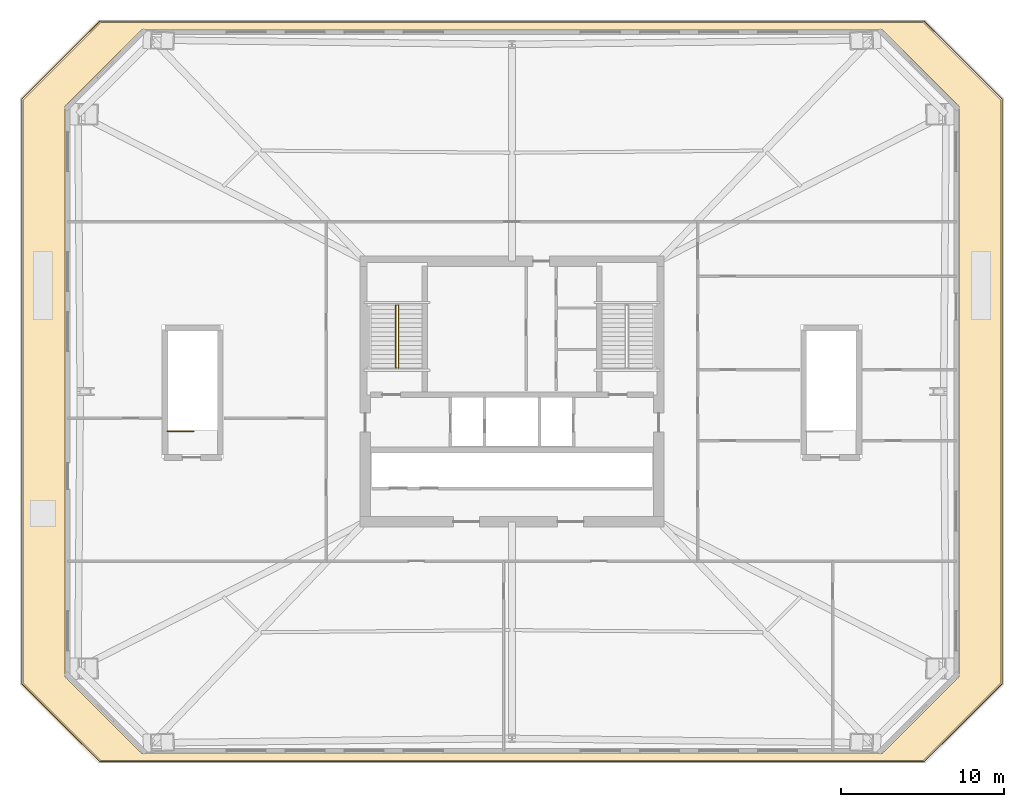
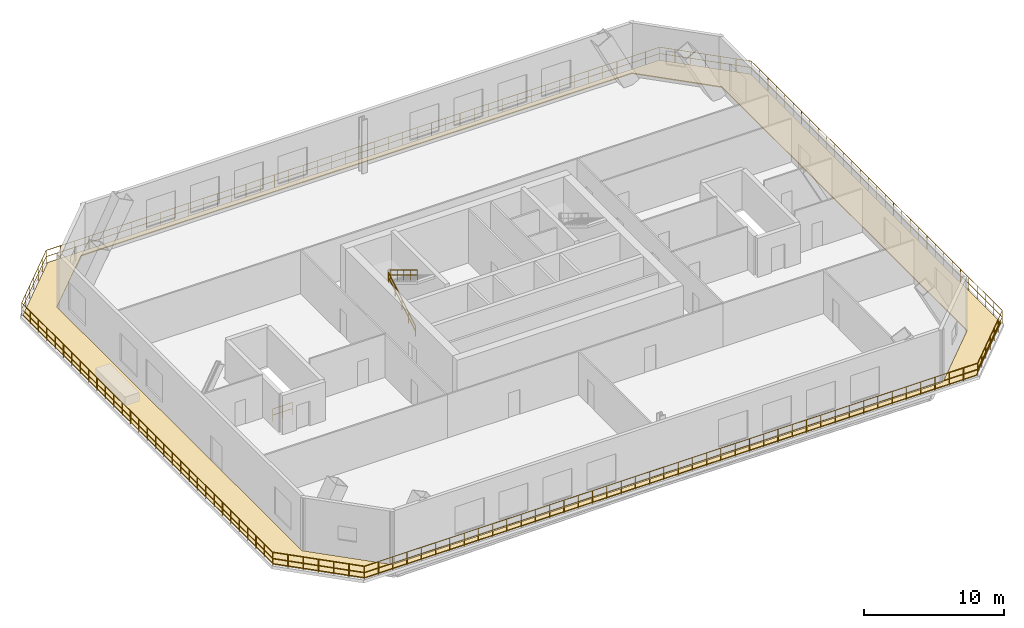
# One storey, part 6 of 7: 4 railings, 1 covering.
"""IFC4 building model written with IfcOpenShell, lengths in metres."""

from ifc_helpers import new_model, si_unit, direction, frame, origin, origin_2d, place, context, subcontext, project, spatial, polyline, circle, outline, extrude, material, layer, layer_set, type_object, element, save


model = new_model("IFC4")

# Units and contexts
model_context = context("Model", 3, precision=1e-05, world=origin(), true_north=direction((0.0, 1.0)))
body_context = subcontext(model_context, "Body", "Model", "MODEL_VIEW")
ifc_project = project(units=[si_unit("LENGTHUNIT", "METRE"), si_unit("AREAUNIT", "SQUARE_METRE"), si_unit("VOLUMEUNIT", "CUBIC_METRE"), si_unit("PLANEANGLEUNIT", "RADIAN"), si_unit("MASSUNIT", "GRAM", prefix="KILO")], contexts=[model_context])

# Site, building, storey
site_placement = place(None, origin())
site = spatial("IfcSite", under=ifc_project, at=site_placement, CompositionType="ELEMENT")
building_placement = place(site_placement, origin())
building = spatial("IfcBuilding", under=site, at=building_placement, Name="Caelvoria Tower", CompositionType="ELEMENT")
storey_placement = place(building_placement, frame((0.0, 0.0, 23.0)))
storey = spatial("IfcBuildingStorey", under=building, at=storey_placement, Name="L05", CompositionType="ELEMENT", Elevation=23.0)

# Railings
ifc_material_1 = material(Name="Bronze Anodised Aluminium and Stainless Steel", Category="steel")
railing_type_1 = type_object("IfcRailingType", Name="Exterior Terrace and Balcony Guardrail 1150", PredefinedType="GUARDRAIL", material=ifc_material_1)
railing_1_placement = place(storey_placement, frame((20.689208984375, 9.2802734375, 0.0)))
element("IfcRailing", 1, at=railing_1_placement, inside=storey, type_object=railing_type_1, Name="Terraced Podium Roof Guardrail L05", PredefinedType="GUARDRAIL", context=body_context, shape_type="SweptSolid", body=[
    extrude(circle(Radius=0.02392578125, at=origin_2d()), frame((0.0, 0.0, 1.1259765625), z_axis=(1.0, 0.0, 0.0), x_axis=(0.0, 1.0, 0.0)), (0.0, 0.0, 1.0), 50.62158203125),
    extrude(circle(Radius=0.02392578125, at=origin_2d()), frame((0.0, 0.0, 0.574951171875), z_axis=(1.0, 0.0, 0.0), x_axis=(0.0, 1.0, 0.0)), (0.0, 0.0, 1.0), 50.62158203125),
    extrude(circle(Radius=0.02392578125, at=origin_2d()), frame((50.62158203125, 0.0, 1.1259765625), z_axis=(0.707485612469, 0.706727746837, 0.0), x_axis=(-0.706727746837, 0.707485612469, 0.0)), (0.0, 0.0, 1.0), 6.764892578125),
    extrude(circle(Radius=0.02392578125, at=origin_2d()), frame((50.62158203125, 0.0, 0.574951171875), z_axis=(0.707485612469, 0.706727746837, 0.0), x_axis=(-0.706727746837, 0.707485612469, 0.0)), (0.0, 0.0, 1.0), 6.764892578125),
    extrude(circle(Radius=0.02392578125, at=origin_2d()), frame((55.40771484375, 4.781005859375, 1.1259765625), z_axis=(0.0, 1.0, 0.0), x_axis=(-1.0, 0.0, 0.0)), (0.0, 0.0, 1.0), 35.87744140625),
    extrude(circle(Radius=0.02392578125, at=origin_2d()), frame((55.40771484375, 4.781005859375, 0.574951171875), z_axis=(0.0, 1.0, 0.0), x_axis=(-1.0, 0.0, 0.0)), (0.0, 0.0, 1.0), 35.87744140625),
    extrude(circle(Radius=0.02392578125, at=origin_2d()), frame((55.40771484375, 40.658447265625, 1.1259765625), z_axis=(-0.707485612469, 0.706727746837, 0.0), x_axis=(-0.706727746837, -0.707485612469, 0.0)), (0.0, 0.0, 1.0), 6.764892578125),
    extrude(circle(Radius=0.02392578125, at=origin_2d()), frame((55.40771484375, 40.658447265625, 0.574951171875), z_axis=(-0.707485612469, 0.706727746837, 0.0), x_axis=(-0.706727746837, -0.707485612469, 0.0)), (0.0, 0.0, 1.0), 6.764892578125),
    extrude(circle(Radius=0.02392578125, at=origin_2d()), frame((50.62158203125, 45.439453125, 1.1259765625), z_axis=(-1.0, 0.0, 0.0), x_axis=(0.0, -1.0, 0.0)), (0.0, 0.0, 1.0), 50.62158203125),
    extrude(circle(Radius=0.02392578125, at=origin_2d()), frame((50.62158203125, 45.439453125, 0.574951171875), z_axis=(-1.0, 0.0, 0.0), x_axis=(0.0, -1.0, 0.0)), (0.0, 0.0, 1.0), 50.62158203125),
    extrude(circle(Radius=0.02392578125, at=origin_2d()), frame((0.0, 45.439453125, 1.1259765625), z_axis=(-0.707485612469, -0.706727746837, 0.0), x_axis=(0.706727746837, -0.707485612469, 0.0)), (0.0, 0.0, 1.0), 6.764892578125),
    extrude(circle(Radius=0.02392578125, at=origin_2d()), frame((0.0, 45.439453125, 0.574951171875), z_axis=(-0.707485612469, -0.706727746837, 0.0), x_axis=(0.706727746837, -0.707485612469, 0.0)), (0.0, 0.0, 1.0), 6.764892578125),
    extrude(circle(Radius=0.02392578125, at=origin_2d()), frame((-4.7861328125, 40.658447265625, 1.1259765625), z_axis=(0.0, -1.0, 0.0), x_axis=(1.0, 0.0, 0.0)), (0.0, 0.0, 1.0), 35.87744140625),
    extrude(circle(Radius=0.02392578125, at=origin_2d()), frame((-4.7861328125, 40.658447265625, 0.574951171875), z_axis=(0.0, -1.0, 0.0), x_axis=(1.0, 0.0, 0.0)), (0.0, 0.0, 1.0), 35.87744140625),
    extrude(circle(Radius=0.02392578125, at=origin_2d()), frame((-4.7861328125, 4.781005859375, 1.1259765625), z_axis=(0.707485612469, -0.706727746837, 0.0), x_axis=(0.706727746837, 0.707485612469, 0.0)), (0.0, 0.0, 1.0), 6.764892578125),
    extrude(circle(Radius=0.02392578125, at=origin_2d()), frame((-4.7861328125, 4.781005859375, 0.574951171875), z_axis=(0.707485612469, -0.706727746837, 0.0), x_axis=(0.706727746837, 0.707485612469, 0.0)), (0.0, 0.0, 1.0), 6.764892578125),
    extrude(circle(Radius=0.02099609375, at=origin_2d()), origin(), (0.0, 0.0, 1.0), 1.101806640625),
    extrude(circle(Radius=0.02099609375, at=origin_2d()), frame((1.17724609375, 0.0, 0.0)), (0.0, 0.0, 1.0), 1.101806640625),
    extrude(circle(Radius=0.02099609375, at=origin_2d()), frame((2.3544921875, 0.0, 0.0)), (0.0, 0.0, 1.0), 1.101806640625),
    extrude(circle(Radius=0.02099609375, at=origin_2d()), frame((3.53173828125, 0.0, 0.0)), (0.0, 0.0, 1.0), 1.101806640625),
    extrude(circle(Radius=0.02099609375, at=origin_2d()), frame((4.708984375, 0.0, 0.0)), (0.0, 0.0, 1.0), 1.101806640625),
    extrude(circle(Radius=0.02099609375, at=origin_2d()), frame((5.88623046875, 0.0, 0.0)), (0.0, 0.0, 1.0), 1.101806640625),
    extrude(circle(Radius=0.02099609375, at=origin_2d()), frame((7.0634765625, 0.0, 0.0)), (0.0, 0.0, 1.0), 1.101806640625),
    extrude(circle(Radius=0.02099609375, at=origin_2d()), frame((8.24072265625, 0.0, 0.0)), (0.0, 0.0, 1.0), 1.101806640625),
    extrude(circle(Radius=0.02099609375, at=origin_2d()), frame((9.41796875, 0.0, 0.0)), (0.0, 0.0, 1.0), 1.101806640625),
    extrude(circle(Radius=0.02099609375, at=origin_2d()), frame((10.59521484375, 0.0, 0.0)), (0.0, 0.0, 1.0), 1.101806640625),
    extrude(circle(Radius=0.02099609375, at=origin_2d()), frame((11.7724609375, 0.0, 0.0)), (0.0, 0.0, 1.0), 1.101806640625),
    extrude(circle(Radius=0.02099609375, at=origin_2d()), frame((12.94970703125, 0.0, 0.0)), (0.0, 0.0, 1.0), 1.101806640625),
    extrude(circle(Radius=0.02099609375, at=origin_2d()), frame((14.126953125, 0.0, 0.0)), (0.0, 0.0, 1.0), 1.101806640625),
    extrude(circle(Radius=0.02099609375, at=origin_2d()), frame((15.30419921875, 0.0, 0.0)), (0.0, 0.0, 1.0), 1.101806640625),
    extrude(circle(Radius=0.02099609375, at=origin_2d()), frame((16.4814453125, 0.0, 0.0)), (0.0, 0.0, 1.0), 1.101806640625),
    extrude(circle(Radius=0.02099609375, at=origin_2d()), frame((17.65869140625, 0.0, 0.0)), (0.0, 0.0, 1.0), 1.101806640625),
    extrude(circle(Radius=0.02099609375, at=origin_2d()), frame((18.8359375, 0.0, 0.0)), (0.0, 0.0, 1.0), 1.101806640625),
    extrude(circle(Radius=0.02099609375, at=origin_2d()), frame((20.01318359375, 0.0, 0.0)), (0.0, 0.0, 1.0), 1.101806640625),
    extrude(circle(Radius=0.02099609375, at=origin_2d()), frame((21.1904296875, 0.0, 0.0)), (0.0, 0.0, 1.0), 1.101806640625),
    extrude(circle(Radius=0.02099609375, at=origin_2d()), frame((22.36767578125, 0.0, 0.0)), (0.0, 0.0, 1.0), 1.101806640625),
    extrude(circle(Radius=0.02099609375, at=origin_2d()), frame((23.544921875, 0.0, 0.0)), (0.0, 0.0, 1.0), 1.101806640625),
    extrude(circle(Radius=0.02099609375, at=origin_2d()), frame((24.72216796875, 0.0, 0.0)), (0.0, 0.0, 1.0), 1.101806640625),
    extrude(circle(Radius=0.02099609375, at=origin_2d()), frame((25.8994140625, 0.0, 0.0)), (0.0, 0.0, 1.0), 1.101806640625),
    extrude(circle(Radius=0.02099609375, at=origin_2d()), frame((27.07666015625, 0.0, 0.0)), (0.0, 0.0, 1.0), 1.101806640625),
    extrude(circle(Radius=0.02099609375, at=origin_2d()), frame((28.25390625, 0.0, 0.0)), (0.0, 0.0, 1.0), 1.101806640625),
    extrude(circle(Radius=0.02099609375, at=origin_2d()), frame((29.43115234375, 0.0, 0.0)), (0.0, 0.0, 1.0), 1.101806640625),
    extrude(circle(Radius=0.02099609375, at=origin_2d()), frame((30.6083984375, 0.0, 0.0)), (0.0, 0.0, 1.0), 1.101806640625),
    extrude(circle(Radius=0.02099609375, at=origin_2d()), frame((31.78564453125, 0.0, 0.0)), (0.0, 0.0, 1.0), 1.101806640625),
    extrude(circle(Radius=0.02099609375, at=origin_2d()), frame((32.962890625, 0.0, 0.0)), (0.0, 0.0, 1.0), 1.101806640625),
    extrude(circle(Radius=0.02099609375, at=origin_2d()), frame((34.14013671875, 0.0, 0.0)), (0.0, 0.0, 1.0), 1.101806640625),
    extrude(circle(Radius=0.02099609375, at=origin_2d()), frame((35.3173828125, 0.0, 0.0)), (0.0, 0.0, 1.0), 1.101806640625),
    extrude(circle(Radius=0.02099609375, at=origin_2d()), frame((36.49462890625, 0.0, 0.0)), (0.0, 0.0, 1.0), 1.101806640625),
    extrude(circle(Radius=0.02099609375, at=origin_2d()), frame((37.671875, 0.0, 0.0)), (0.0, 0.0, 1.0), 1.101806640625),
    extrude(circle(Radius=0.02099609375, at=origin_2d()), frame((38.84912109375, 0.0, 0.0)), (0.0, 0.0, 1.0), 1.101806640625),
    extrude(circle(Radius=0.02099609375, at=origin_2d()), frame((40.0263671875, 0.0, 0.0)), (0.0, 0.0, 1.0), 1.101806640625),
    extrude(circle(Radius=0.02099609375, at=origin_2d()), frame((41.20361328125, 0.0, 0.0)), (0.0, 0.0, 1.0), 1.101806640625),
    extrude(circle(Radius=0.02099609375, at=origin_2d()), frame((42.380859375, 0.0, 0.0)), (0.0, 0.0, 1.0), 1.101806640625),
    extrude(circle(Radius=0.02099609375, at=origin_2d()), frame((43.55810546875, 0.0, 0.0)), (0.0, 0.0, 1.0), 1.101806640625),
    extrude(circle(Radius=0.02099609375, at=origin_2d()), frame((44.7353515625, 0.0, 0.0)), (0.0, 0.0, 1.0), 1.101806640625),
    extrude(circle(Radius=0.02099609375, at=origin_2d()), frame((45.91259765625, 0.0, 0.0)), (0.0, 0.0, 1.0), 1.101806640625),
    extrude(circle(Radius=0.02099609375, at=origin_2d()), frame((47.08984375, 0.0, 0.0)), (0.0, 0.0, 1.0), 1.101806640625),
    extrude(circle(Radius=0.02099609375, at=origin_2d()), frame((48.26708984375, 0.0, 0.0)), (0.0, 0.0, 1.0), 1.101806640625),
    extrude(circle(Radius=0.02099609375, at=origin_2d()), frame((49.4443359375, 0.0, 0.0)), (0.0, 0.0, 1.0), 1.101806640625),
    extrude(circle(Radius=0.02099609375, at=origin_2d()), frame((50.62158203125, 0.0, 0.0)), (0.0, 0.0, 1.0), 1.101806640625),
    extrude(circle(Radius=0.02099609375, at=origin_2d()), frame((51.419189453125, 0.796875, 0.0)), (0.0, 0.0, 1.0), 1.101806640625),
    extrude(circle(Radius=0.02099609375, at=origin_2d()), frame((52.217041015625, 1.59375, 0.0)), (0.0, 0.0, 1.0), 1.101806640625),
    extrude(circle(Radius=0.02099609375, at=origin_2d()), frame((53.0146484375, 2.390625, 0.0)), (0.0, 0.0, 1.0), 1.101806640625),
    extrude(circle(Radius=0.02099609375, at=origin_2d()), frame((53.812255859375, 3.187255859375, 0.0)), (0.0, 0.0, 1.0), 1.101806640625),
    extrude(circle(Radius=0.02099609375, at=origin_2d()), frame((54.610107421875, 3.984130859375, 0.0)), (0.0, 0.0, 1.0), 1.101806640625),
    extrude(circle(Radius=0.02099609375, at=origin_2d()), frame((55.40771484375, 4.781005859375, 0.0)), (0.0, 0.0, 1.0), 1.101806640625),
    extrude(circle(Radius=0.02099609375, at=origin_2d()), frame((55.40771484375, 5.976806640625, 0.0)), (0.0, 0.0, 1.0), 1.101806640625),
    extrude(circle(Radius=0.02099609375, at=origin_2d()), frame((55.40771484375, 7.1728515625, 0.0)), (0.0, 0.0, 1.0), 1.101806640625),
    extrude(circle(Radius=0.02099609375, at=origin_2d()), frame((55.40771484375, 8.36865234375, 0.0)), (0.0, 0.0, 1.0), 1.101806640625),
    extrude(circle(Radius=0.02099609375, at=origin_2d()), frame((55.40771484375, 9.564697265625, 0.0)), (0.0, 0.0, 1.0), 1.101806640625),
    extrude(circle(Radius=0.02099609375, at=origin_2d()), frame((55.40771484375, 10.760498046875, 0.0)), (0.0, 0.0, 1.0), 1.101806640625),
    extrude(circle(Radius=0.02099609375, at=origin_2d()), frame((55.40771484375, 11.95654296875, 0.0)), (0.0, 0.0, 1.0), 1.101806640625),
    extrude(circle(Radius=0.02099609375, at=origin_2d()), frame((55.40771484375, 13.15234375, 0.0)), (0.0, 0.0, 1.0), 1.101806640625),
    extrude(circle(Radius=0.02099609375, at=origin_2d()), frame((55.40771484375, 14.348388671875, 0.0)), (0.0, 0.0, 1.0), 1.101806640625),
    extrude(circle(Radius=0.02099609375, at=origin_2d()), frame((55.40771484375, 15.544189453125, 0.0)), (0.0, 0.0, 1.0), 1.101806640625),
    extrude(circle(Radius=0.02099609375, at=origin_2d()), frame((55.40771484375, 16.740234375, 0.0)), (0.0, 0.0, 1.0), 1.101806640625),
    extrude(circle(Radius=0.02099609375, at=origin_2d()), frame((55.40771484375, 17.93603515625, 0.0)), (0.0, 0.0, 1.0), 1.101806640625),
    extrude(circle(Radius=0.02099609375, at=origin_2d()), frame((55.40771484375, 19.132080078125, 0.0)), (0.0, 0.0, 1.0), 1.101806640625),
    extrude(circle(Radius=0.02099609375, at=origin_2d()), frame((55.40771484375, 20.327880859375, 0.0)), (0.0, 0.0, 1.0), 1.101806640625),
    extrude(circle(Radius=0.02099609375, at=origin_2d()), frame((55.40771484375, 21.52392578125, 0.0)), (0.0, 0.0, 1.0), 1.101806640625),
    extrude(circle(Radius=0.02099609375, at=origin_2d()), frame((55.40771484375, 22.7197265625, 0.0)), (0.0, 0.0, 1.0), 1.101806640625),
    extrude(circle(Radius=0.02099609375, at=origin_2d()), frame((55.40771484375, 23.91552734375, 0.0)), (0.0, 0.0, 1.0), 1.101806640625),
    extrude(circle(Radius=0.02099609375, at=origin_2d()), frame((55.40771484375, 25.111572265625, 0.0)), (0.0, 0.0, 1.0), 1.101806640625),
    extrude(circle(Radius=0.02099609375, at=origin_2d()), frame((55.40771484375, 26.307373046875, 0.0)), (0.0, 0.0, 1.0), 1.101806640625),
    extrude(circle(Radius=0.02099609375, at=origin_2d()), frame((55.40771484375, 27.50341796875, 0.0)), (0.0, 0.0, 1.0), 1.101806640625),
    extrude(circle(Radius=0.02099609375, at=origin_2d()), frame((55.40771484375, 28.69921875, 0.0)), (0.0, 0.0, 1.0), 1.101806640625),
    extrude(circle(Radius=0.02099609375, at=origin_2d()), frame((55.40771484375, 29.895263671875, 0.0)), (0.0, 0.0, 1.0), 1.101806640625),
    extrude(circle(Radius=0.02099609375, at=origin_2d()), frame((55.40771484375, 31.091064453125, 0.0)), (0.0, 0.0, 1.0), 1.101806640625),
    extrude(circle(Radius=0.02099609375, at=origin_2d()), frame((55.40771484375, 32.287109375, 0.0)), (0.0, 0.0, 1.0), 1.101806640625),
    extrude(circle(Radius=0.02099609375, at=origin_2d()), frame((55.40771484375, 33.48291015625, 0.0)), (0.0, 0.0, 1.0), 1.101806640625),
    extrude(circle(Radius=0.02099609375, at=origin_2d()), frame((55.40771484375, 34.678955078125, 0.0)), (0.0, 0.0, 1.0), 1.101806640625),
    extrude(circle(Radius=0.02099609375, at=origin_2d()), frame((55.40771484375, 35.874755859375, 0.0)), (0.0, 0.0, 1.0), 1.101806640625),
    extrude(circle(Radius=0.02099609375, at=origin_2d()), frame((55.40771484375, 37.07080078125, 0.0)), (0.0, 0.0, 1.0), 1.101806640625),
    extrude(circle(Radius=0.02099609375, at=origin_2d()), frame((55.40771484375, 38.2666015625, 0.0)), (0.0, 0.0, 1.0), 1.101806640625),
    extrude(circle(Radius=0.02099609375, at=origin_2d()), frame((55.40771484375, 39.462646484375, 0.0)), (0.0, 0.0, 1.0), 1.101806640625),
    extrude(circle(Radius=0.02099609375, at=origin_2d()), frame((55.40771484375, 40.658447265625, 0.0)), (0.0, 0.0, 1.0), 1.101806640625),
    extrude(circle(Radius=0.02099609375, at=origin_2d()), frame((54.610107421875, 41.455322265625, 0.0)), (0.0, 0.0, 1.0), 1.101806640625),
    extrude(circle(Radius=0.02099609375, at=origin_2d()), frame((53.812255859375, 42.252197265625, 0.0)), (0.0, 0.0, 1.0), 1.101806640625),
    extrude(circle(Radius=0.02099609375, at=origin_2d()), frame((53.0146484375, 43.048828125, 0.0)), (0.0, 0.0, 1.0), 1.101806640625),
    extrude(circle(Radius=0.02099609375, at=origin_2d()), frame((52.217041015625, 43.845703125, 0.0)), (0.0, 0.0, 1.0), 1.101806640625),
    extrude(circle(Radius=0.02099609375, at=origin_2d()), frame((51.419189453125, 44.642578125, 0.0)), (0.0, 0.0, 1.0), 1.101806640625),
    extrude(circle(Radius=0.02099609375, at=origin_2d()), frame((50.62158203125, 45.439453125, 0.0)), (0.0, 0.0, 1.0), 1.101806640625),
    extrude(circle(Radius=0.02099609375, at=origin_2d()), frame((49.4443359375, 45.439453125, 0.0)), (0.0, 0.0, 1.0), 1.101806640625),
    extrude(circle(Radius=0.02099609375, at=origin_2d()), frame((48.26708984375, 45.439453125, 0.0)), (0.0, 0.0, 1.0), 1.101806640625),
    extrude(circle(Radius=0.02099609375, at=origin_2d()), frame((47.08984375, 45.439453125, 0.0)), (0.0, 0.0, 1.0), 1.101806640625),
    extrude(circle(Radius=0.02099609375, at=origin_2d()), frame((45.91259765625, 45.439453125, 0.0)), (0.0, 0.0, 1.0), 1.101806640625),
    extrude(circle(Radius=0.02099609375, at=origin_2d()), frame((44.7353515625, 45.439453125, 0.0)), (0.0, 0.0, 1.0), 1.101806640625),
    extrude(circle(Radius=0.02099609375, at=origin_2d()), frame((43.55810546875, 45.439453125, 0.0)), (0.0, 0.0, 1.0), 1.101806640625),
    extrude(circle(Radius=0.02099609375, at=origin_2d()), frame((42.380859375, 45.439453125, 0.0)), (0.0, 0.0, 1.0), 1.101806640625),
    extrude(circle(Radius=0.02099609375, at=origin_2d()), frame((41.20361328125, 45.439453125, 0.0)), (0.0, 0.0, 1.0), 1.101806640625),
    extrude(circle(Radius=0.02099609375, at=origin_2d()), frame((40.0263671875, 45.439453125, 0.0)), (0.0, 0.0, 1.0), 1.101806640625),
    extrude(circle(Radius=0.02099609375, at=origin_2d()), frame((38.84912109375, 45.439453125, 0.0)), (0.0, 0.0, 1.0), 1.101806640625),
    extrude(circle(Radius=0.02099609375, at=origin_2d()), frame((37.671875, 45.439453125, 0.0)), (0.0, 0.0, 1.0), 1.101806640625),
    extrude(circle(Radius=0.02099609375, at=origin_2d()), frame((36.49462890625, 45.439453125, 0.0)), (0.0, 0.0, 1.0), 1.101806640625),
    extrude(circle(Radius=0.02099609375, at=origin_2d()), frame((35.3173828125, 45.439453125, 0.0)), (0.0, 0.0, 1.0), 1.101806640625),
    extrude(circle(Radius=0.02099609375, at=origin_2d()), frame((34.14013671875, 45.439453125, 0.0)), (0.0, 0.0, 1.0), 1.101806640625),
    extrude(circle(Radius=0.02099609375, at=origin_2d()), frame((32.962890625, 45.439453125, 0.0)), (0.0, 0.0, 1.0), 1.101806640625),
    extrude(circle(Radius=0.02099609375, at=origin_2d()), frame((31.78564453125, 45.439453125, 0.0)), (0.0, 0.0, 1.0), 1.101806640625),
    extrude(circle(Radius=0.02099609375, at=origin_2d()), frame((30.6083984375, 45.439453125, 0.0)), (0.0, 0.0, 1.0), 1.101806640625),
    extrude(circle(Radius=0.02099609375, at=origin_2d()), frame((29.43115234375, 45.439453125, 0.0)), (0.0, 0.0, 1.0), 1.101806640625),
    extrude(circle(Radius=0.02099609375, at=origin_2d()), frame((28.25390625, 45.439453125, 0.0)), (0.0, 0.0, 1.0), 1.101806640625),
    extrude(circle(Radius=0.02099609375, at=origin_2d()), frame((27.07666015625, 45.439453125, 0.0)), (0.0, 0.0, 1.0), 1.101806640625),
    extrude(circle(Radius=0.02099609375, at=origin_2d()), frame((25.8994140625, 45.439453125, 0.0)), (0.0, 0.0, 1.0), 1.101806640625),
    extrude(circle(Radius=0.02099609375, at=origin_2d()), frame((24.72216796875, 45.439453125, 0.0)), (0.0, 0.0, 1.0), 1.101806640625),
    extrude(circle(Radius=0.02099609375, at=origin_2d()), frame((23.544921875, 45.439453125, 0.0)), (0.0, 0.0, 1.0), 1.101806640625),
    extrude(circle(Radius=0.02099609375, at=origin_2d()), frame((22.36767578125, 45.439453125, 0.0)), (0.0, 0.0, 1.0), 1.101806640625),
    extrude(circle(Radius=0.02099609375, at=origin_2d()), frame((21.1904296875, 45.439453125, 0.0)), (0.0, 0.0, 1.0), 1.101806640625),
    extrude(circle(Radius=0.02099609375, at=origin_2d()), frame((20.01318359375, 45.439453125, 0.0)), (0.0, 0.0, 1.0), 1.101806640625),
    extrude(circle(Radius=0.02099609375, at=origin_2d()), frame((18.8359375, 45.439453125, 0.0)), (0.0, 0.0, 1.0), 1.101806640625),
    extrude(circle(Radius=0.02099609375, at=origin_2d()), frame((17.65869140625, 45.439453125, 0.0)), (0.0, 0.0, 1.0), 1.101806640625),
    extrude(circle(Radius=0.02099609375, at=origin_2d()), frame((16.4814453125, 45.439453125, 0.0)), (0.0, 0.0, 1.0), 1.101806640625),
    extrude(circle(Radius=0.02099609375, at=origin_2d()), frame((15.30419921875, 45.439453125, 0.0)), (0.0, 0.0, 1.0), 1.101806640625),
    extrude(circle(Radius=0.02099609375, at=origin_2d()), frame((14.126953125, 45.439453125, 0.0)), (0.0, 0.0, 1.0), 1.101806640625),
    extrude(circle(Radius=0.02099609375, at=origin_2d()), frame((12.94970703125, 45.439453125, 0.0)), (0.0, 0.0, 1.0), 1.101806640625),
    extrude(circle(Radius=0.02099609375, at=origin_2d()), frame((11.7724609375, 45.439453125, 0.0)), (0.0, 0.0, 1.0), 1.101806640625),
    extrude(circle(Radius=0.02099609375, at=origin_2d()), frame((10.59521484375, 45.439453125, 0.0)), (0.0, 0.0, 1.0), 1.101806640625),
    extrude(circle(Radius=0.02099609375, at=origin_2d()), frame((9.41796875, 45.439453125, 0.0)), (0.0, 0.0, 1.0), 1.101806640625),
    extrude(circle(Radius=0.02099609375, at=origin_2d()), frame((8.24072265625, 45.439453125, 0.0)), (0.0, 0.0, 1.0), 1.101806640625),
    extrude(circle(Radius=0.02099609375, at=origin_2d()), frame((7.0634765625, 45.439453125, 0.0)), (0.0, 0.0, 1.0), 1.101806640625),
    extrude(circle(Radius=0.02099609375, at=origin_2d()), frame((5.88623046875, 45.439453125, 0.0)), (0.0, 0.0, 1.0), 1.101806640625),
    extrude(circle(Radius=0.02099609375, at=origin_2d()), frame((4.708984375, 45.439453125, 0.0)), (0.0, 0.0, 1.0), 1.101806640625),
    extrude(circle(Radius=0.02099609375, at=origin_2d()), frame((3.53173828125, 45.439453125, 0.0)), (0.0, 0.0, 1.0), 1.101806640625),
    extrude(circle(Radius=0.02099609375, at=origin_2d()), frame((2.3544921875, 45.439453125, 0.0)), (0.0, 0.0, 1.0), 1.101806640625),
    extrude(circle(Radius=0.02099609375, at=origin_2d()), frame((1.17724609375, 45.439453125, 0.0)), (0.0, 0.0, 1.0), 1.101806640625),
    extrude(circle(Radius=0.02099609375, at=origin_2d()), frame((0.0, 45.439453125, 0.0)), (0.0, 0.0, 1.0), 1.101806640625),
    extrude(circle(Radius=0.02099609375, at=origin_2d()), frame((-0.797607421875, 44.642578125, 0.0)), (0.0, 0.0, 1.0), 1.101806640625),
    extrude(circle(Radius=0.02099609375, at=origin_2d()), frame((-1.595458984375, 43.845703125, 0.0)), (0.0, 0.0, 1.0), 1.101806640625),
    extrude(circle(Radius=0.02099609375, at=origin_2d()), frame((-2.39306640625, 43.048828125, 0.0)), (0.0, 0.0, 1.0), 1.101806640625),
    extrude(circle(Radius=0.02099609375, at=origin_2d()), frame((-3.190673828125, 42.252197265625, 0.0)), (0.0, 0.0, 1.0), 1.101806640625),
    extrude(circle(Radius=0.02099609375, at=origin_2d()), frame((-3.988525390625, 41.455322265625, 0.0)), (0.0, 0.0, 1.0), 1.101806640625),
    extrude(circle(Radius=0.02099609375, at=origin_2d()), frame((-4.7861328125, 40.658447265625, 0.0)), (0.0, 0.0, 1.0), 1.101806640625),
    extrude(circle(Radius=0.02099609375, at=origin_2d()), frame((-4.7861328125, 39.462646484375, 0.0)), (0.0, 0.0, 1.0), 1.101806640625),
    extrude(circle(Radius=0.02099609375, at=origin_2d()), frame((-4.7861328125, 38.2666015625, 0.0)), (0.0, 0.0, 1.0), 1.101806640625),
    extrude(circle(Radius=0.02099609375, at=origin_2d()), frame((-4.7861328125, 37.07080078125, 0.0)), (0.0, 0.0, 1.0), 1.101806640625),
    extrude(circle(Radius=0.02099609375, at=origin_2d()), frame((-4.7861328125, 35.874755859375, 0.0)), (0.0, 0.0, 1.0), 1.101806640625),
    extrude(circle(Radius=0.02099609375, at=origin_2d()), frame((-4.7861328125, 34.678955078125, 0.0)), (0.0, 0.0, 1.0), 1.101806640625),
    extrude(circle(Radius=0.02099609375, at=origin_2d()), frame((-4.7861328125, 33.48291015625, 0.0)), (0.0, 0.0, 1.0), 1.101806640625),
    extrude(circle(Radius=0.02099609375, at=origin_2d()), frame((-4.7861328125, 32.287109375, 0.0)), (0.0, 0.0, 1.0), 1.101806640625),
    extrude(circle(Radius=0.02099609375, at=origin_2d()), frame((-4.7861328125, 31.091064453125, 0.0)), (0.0, 0.0, 1.0), 1.101806640625),
    extrude(circle(Radius=0.02099609375, at=origin_2d()), frame((-4.7861328125, 29.895263671875, 0.0)), (0.0, 0.0, 1.0), 1.101806640625),
    extrude(circle(Radius=0.02099609375, at=origin_2d()), frame((-4.7861328125, 28.69921875, 0.0)), (0.0, 0.0, 1.0), 1.101806640625),
    extrude(circle(Radius=0.02099609375, at=origin_2d()), frame((-4.7861328125, 27.50341796875, 0.0)), (0.0, 0.0, 1.0), 1.101806640625),
    extrude(circle(Radius=0.02099609375, at=origin_2d()), frame((-4.7861328125, 26.307373046875, 0.0)), (0.0, 0.0, 1.0), 1.101806640625),
    extrude(circle(Radius=0.02099609375, at=origin_2d()), frame((-4.7861328125, 25.111572265625, 0.0)), (0.0, 0.0, 1.0), 1.101806640625),
    extrude(circle(Radius=0.02099609375, at=origin_2d()), frame((-4.7861328125, 23.91552734375, 0.0)), (0.0, 0.0, 1.0), 1.101806640625),
    extrude(circle(Radius=0.02099609375, at=origin_2d()), frame((-4.7861328125, 22.7197265625, 0.0)), (0.0, 0.0, 1.0), 1.101806640625),
    extrude(circle(Radius=0.02099609375, at=origin_2d()), frame((-4.7861328125, 21.52392578125, 0.0)), (0.0, 0.0, 1.0), 1.101806640625),
    extrude(circle(Radius=0.02099609375, at=origin_2d()), frame((-4.7861328125, 20.327880859375, 0.0)), (0.0, 0.0, 1.0), 1.101806640625),
    extrude(circle(Radius=0.02099609375, at=origin_2d()), frame((-4.7861328125, 19.132080078125, 0.0)), (0.0, 0.0, 1.0), 1.101806640625),
    extrude(circle(Radius=0.02099609375, at=origin_2d()), frame((-4.7861328125, 17.93603515625, 0.0)), (0.0, 0.0, 1.0), 1.101806640625),
    extrude(circle(Radius=0.02099609375, at=origin_2d()), frame((-4.7861328125, 16.740234375, 0.0)), (0.0, 0.0, 1.0), 1.101806640625),
    extrude(circle(Radius=0.02099609375, at=origin_2d()), frame((-4.7861328125, 15.544189453125, 0.0)), (0.0, 0.0, 1.0), 1.101806640625),
    extrude(circle(Radius=0.02099609375, at=origin_2d()), frame((-4.7861328125, 14.348388671875, 0.0)), (0.0, 0.0, 1.0), 1.101806640625),
    extrude(circle(Radius=0.02099609375, at=origin_2d()), frame((-4.7861328125, 13.15234375, 0.0)), (0.0, 0.0, 1.0), 1.101806640625),
    extrude(circle(Radius=0.02099609375, at=origin_2d()), frame((-4.7861328125, 11.95654296875, 0.0)), (0.0, 0.0, 1.0), 1.101806640625),
    extrude(circle(Radius=0.02099609375, at=origin_2d()), frame((-4.7861328125, 10.760498046875, 0.0)), (0.0, 0.0, 1.0), 1.101806640625),
    extrude(circle(Radius=0.02099609375, at=origin_2d()), frame((-4.7861328125, 9.564697265625, 0.0)), (0.0, 0.0, 1.0), 1.101806640625),
    extrude(circle(Radius=0.02099609375, at=origin_2d()), frame((-4.7861328125, 8.36865234375, 0.0)), (0.0, 0.0, 1.0), 1.101806640625),
    extrude(circle(Radius=0.02099609375, at=origin_2d()), frame((-4.7861328125, 7.1728515625, 0.0)), (0.0, 0.0, 1.0), 1.101806640625),
    extrude(circle(Radius=0.02099609375, at=origin_2d()), frame((-4.7861328125, 5.976806640625, 0.0)), (0.0, 0.0, 1.0), 1.101806640625),
    extrude(circle(Radius=0.02099609375, at=origin_2d()), frame((-4.7861328125, 4.781005859375, 0.0)), (0.0, 0.0, 1.0), 1.101806640625),
    extrude(circle(Radius=0.02099609375, at=origin_2d()), frame((-3.988525390625, 3.984130859375, 0.0)), (0.0, 0.0, 1.0), 1.101806640625),
    extrude(circle(Radius=0.02099609375, at=origin_2d()), frame((-3.190673828125, 3.187255859375, 0.0)), (0.0, 0.0, 1.0), 1.101806640625),
    extrude(circle(Radius=0.02099609375, at=origin_2d()), frame((-2.39306640625, 2.390625, 0.0)), (0.0, 0.0, 1.0), 1.101806640625),
    extrude(circle(Radius=0.02099609375, at=origin_2d()), frame((-1.595458984375, 1.59375, 0.0)), (0.0, 0.0, 1.0), 1.101806640625),
    extrude(circle(Radius=0.02099609375, at=origin_2d()), frame((-0.797607421875, 0.796875, 0.0)), (0.0, 0.0, 1.0), 1.101806640625),
])
ifc_material_2 = material(Name="Brushed Stainless Steel Tube", Category="steel")
railing_type_2 = type_object("IfcRailingType", Name="Stair Tubular Stainless Handrail 920", PredefinedType="HANDRAIL", material=ifc_material_2)
railing_2_placement = place(storey_placement, frame((38.8701171875, 33.449951171875, 0.166748046875)))
element("IfcRailing", 2, at=railing_2_placement, inside=storey, type_object=railing_type_2, Name="ST-01 Flight 1 Handrail L05", PredefinedType="HANDRAIL", context=body_context, shape_type="SweptSolid", body=[
    extrude(circle(Radius=0.02392578125, at=origin_2d()), frame((0.0, 0.0, 0.89599609375), z_axis=(0.0, 0.855211671081, 0.518278880185), x_axis=(-1.0, 0.0, 0.0)), (0.0, 0.0, 1.0), 4.501953125),
    extrude(circle(Radius=0.02392578125, at=origin_2d()), frame((0.0, 0.0, 0.4599609375), z_axis=(0.0, 0.855211671081, 0.518278880185), x_axis=(-1.0, 0.0, 0.0)), (0.0, 0.0, 1.0), 4.501953125),
    extrude(circle(Radius=0.02099609375, at=origin_2d()), origin(), (0.0, 0.0, 1.0), 0.871826171875),
    extrude(circle(Radius=0.02099609375, at=origin_2d()), frame((0.0, 0.96240234375, 0.583251953125)), (0.0, 0.0, 1.0), 0.871826171875),
    extrude(circle(Radius=0.02099609375, at=origin_2d()), frame((0.0, 1.925048828125, 1.16650390625)), (0.0, 0.0, 1.0), 0.871826171875),
    extrude(circle(Radius=0.02099609375, at=origin_2d()), frame((0.0, 2.8876953125, 1.75)), (0.0, 0.0, 1.0), 0.871826171875),
    extrude(circle(Radius=0.02099609375, at=origin_2d()), frame((0.0, 3.85009765625, 2.333251953125)), (0.0, 0.0, 1.0), 0.871826171875),
])
railing_3_placement = place(storey_placement, frame((39.030029296875, 37.300048828125, 2.666748046875)))
element("IfcRailing", 3, at=railing_3_placement, inside=storey, type_object=railing_type_2, Name="ST-01 Flight 2 Handrail L05", PredefinedType="HANDRAIL", context=body_context, shape_type="SweptSolid", body=[
    extrude(circle(Radius=0.02392578125, at=origin_2d()), frame((0.0, 0.0, 0.89599609375), z_axis=(0.0, -0.855211671081, 0.518278880185), x_axis=(1.0, 0.0, 0.0)), (0.0, 0.0, 1.0), 4.501953125),
    extrude(circle(Radius=0.02392578125, at=origin_2d()), frame((0.0, 0.0, 0.4599609375), z_axis=(0.0, -0.855211671081, 0.518278880185), x_axis=(1.0, 0.0, 0.0)), (0.0, 0.0, 1.0), 4.501953125),
    extrude(circle(Radius=0.02099609375, at=origin_2d()), origin(), (0.0, 0.0, 1.0), 0.871826171875),
    extrude(circle(Radius=0.02099609375, at=origin_2d()), frame((0.0, -0.96240234375, 0.583251953125)), (0.0, 0.0, 1.0), 0.871826171875),
    extrude(circle(Radius=0.02099609375, at=origin_2d()), frame((0.0, -1.925048828125, 1.16650390625)), (0.0, 0.0, 1.0), 0.871826171875),
    extrude(circle(Radius=0.02099609375, at=origin_2d()), frame((0.0, -2.8876953125, 1.75)), (0.0, 0.0, 1.0), 0.871826171875),
    extrude(circle(Radius=0.02099609375, at=origin_2d()), frame((0.0, -3.85009765625, 2.333251953125)), (0.0, 0.0, 1.0), 0.871826171875),
])
ifc_material_3 = material(Name="Brushed Stainless Steel Guardrail", Category="steel")
railing_type_3 = type_object("IfcRailingType", Name="Stair Well and Ramp Guardrail 1120", PredefinedType="GUARDRAIL", material=ifc_material_3)
railing_4_placement = place(storey_placement, frame((24.840087890625, 29.56005859375, 0.0)))
element("IfcRailing", 4, at=railing_4_placement, inside=storey, type_object=railing_type_3, Name="Podium Top Stair Well Guard L05 ST3", PredefinedType="GUARDRAIL", context=body_context, shape_type="SweptSolid", body=[
    extrude(circle(Radius=0.02392578125, at=origin_2d()), frame((0.0, 0.0, 1.09619140625), z_axis=(1.0, 0.0, 0.0), x_axis=(0.0, 1.0, 0.0)), (0.0, 0.0, 1.0), 1.619873046875),
    extrude(circle(Radius=0.02392578125, at=origin_2d()), frame((0.0, 0.0, 0.56005859375), z_axis=(1.0, 0.0, 0.0), x_axis=(0.0, 1.0, 0.0)), (0.0, 0.0, 1.0), 1.619873046875),
    extrude(circle(Radius=0.02099609375, at=origin_2d()), origin(), (0.0, 0.0, 1.0), 1.072021484375),
    extrude(circle(Radius=0.02099609375, at=origin_2d()), frame((0.81005859375, 0.0, 0.0)), (0.0, 0.0, 1.0), 1.072021484375),
    extrude(circle(Radius=0.02099609375, at=origin_2d()), frame((1.619873046875, 0.0, 0.0)), (0.0, 0.0, 1.0), 1.072021484375),
])

# Covering
ifc_material_4 = material(Name="SBS Waterproofing Membrane and Extruded Insulation", Category="bitumen")
ifc_layer = layer(ifc_material_4, 0.1201171875, Name="SBS Waterproofing Membrane and Extruded Insulation")
ifc_layer_set = layer_set([ifc_layer], Name="Terrace Insulated Waterproof Roofing Membrane 120 - SBS Waterproofing Membrane and Extruded Insulation")
covering_type = type_object("IfcCoveringType", Name="Terrace Insulated Waterproof Roofing Membrane 120", PredefinedType="ROOFING", material=ifc_layer_set)
covering_placement = place(storey_placement, origin())
element("IfcCovering", 5, at=covering_placement, inside=storey, type_object=covering_type, Name="Terraced Podium Waterproof Roofing L05", PredefinedType="ROOFING", context=body_context, shape_type="SweptSolid", body=[
    extrude(outline(polyline([(20.763671875, 9.346923828125), (71.236328125, 9.346923828125), (76.010986328125, 14.112548828125), (76.010986328125, 49.887451171875), (71.236328125, 54.653076171875), (20.763671875, 54.653076171875), (15.989013671875, 49.887451171875), (15.989013671875, 14.112548828125), (20.763671875, 9.346923828125)]), holes=[polyline([(18.56640625, 14.478515625), (18.56640625, 49.521484375), (23.271484375, 54.22802734375), (68.728515625, 54.22802734375), (73.43359375, 49.521484375), (73.43359375, 14.478515625), (68.728515625, 9.77197265625), (23.271484375, 9.77197265625), (18.56640625, 14.478515625)])]), origin(), (0.0, 0.0, 1.0), 0.080078125),
])

save(model, "model.ifc")
